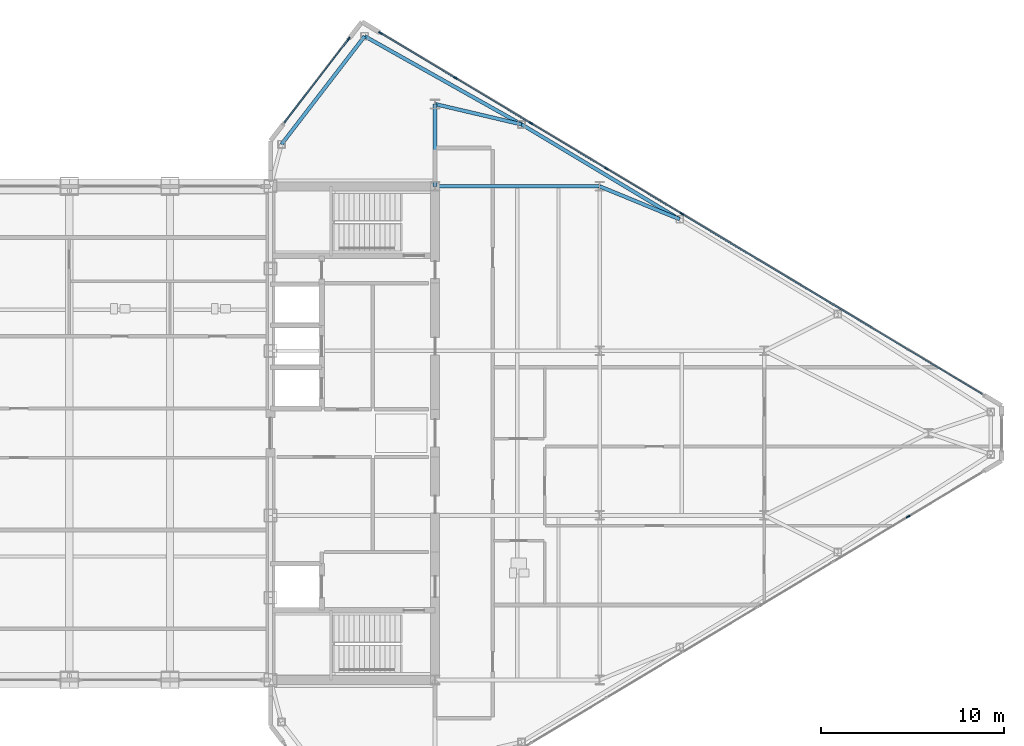
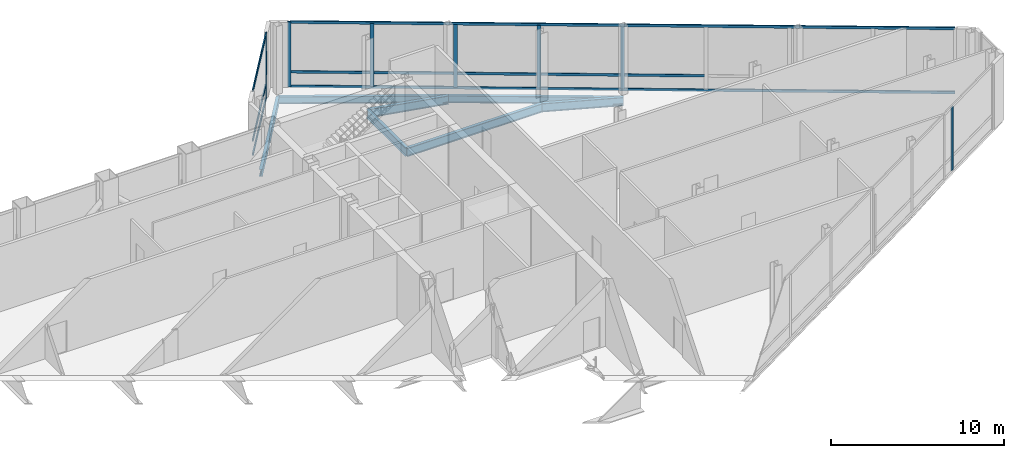
# One storey, part 17 of 30: 17 members, 7 beams, 3 elements without a shape of their own.
"""IFC4 building model written with IfcOpenShell, lengths in metres."""

from ifc_helpers import new_model, si_unit, direction, frame, origin, origin_2d, place, context, subcontext, project, spatial, rectangle, i_section, extrude, source, transform, mapped, material, layer, layer_set, material_profile, profile_set, type_object, type_shapes, element, aggregate, save


model = new_model("IFC4")

# Units and contexts
model_context = context("Model", 3, precision=1e-05, world=origin(), true_north=direction((0.0, 1.0)))
body_context = subcontext(model_context, "Body", "Model", "MODEL_VIEW")
ifc_project = project(units=[si_unit("LENGTHUNIT", "METRE"), si_unit("AREAUNIT", "SQUARE_METRE"), si_unit("VOLUMEUNIT", "CUBIC_METRE"), si_unit("PLANEANGLEUNIT", "RADIAN"), si_unit("MASSUNIT", "GRAM", prefix="KILO")], contexts=[model_context])

# Site, building, storey
site_placement = place(None, origin())
site = spatial("IfcSite", under=ifc_project, at=site_placement, CompositionType="ELEMENT")
building_placement = place(site_placement, origin())
building = spatial("IfcBuilding", under=site, at=building_placement, Name="Seokmaru Belvedere", CompositionType="ELEMENT")
storey_placement = place(building_placement, frame((0.0, 0.0, 234.60009765625)))
storey = spatial("IfcBuildingStorey", under=building, at=storey_placement, Name="L62", CompositionType="ELEMENT", Elevation=234.60009765625)

# Beams
ifc_material_1 = material(Name="Steel SM355 (355 MPa)", Category="steel")
ifc_material_profile_1 = material_profile(ifc_material_1, i_section(OverallWidth=0.199951171875, OverallDepth=0.60009765625, WebThickness=0.010986328125, FlangeThickness=0.01708984375, at=origin_2d()), Name="H-600x200x11x17")
ifc_profile_set_1 = profile_set([ifc_material_profile_1], Name="Steel SM355 (355 MPa)")
beam_type_1 = type_object("IfcBeamType", Name="Primary Floor Girder H-600", PredefinedType="BEAM", material=ifc_profile_set_1)
shared_shape_1 = source(origin(), body_context, "Body", "SweptSolid", [
    extrude(i_section(OverallWidth=0.199951171875, OverallDepth=0.60009765625, WebThickness=0.010986328125, FlangeThickness=0.01708984375, at=origin_2d()), origin(), (0.0, 0.0, 1.0), 9.0),
])
beam_1_placement = place(storey_placement, frame((36.5, 13.5, -0.56005859375), z_axis=(1.0, 0.0, 0.0), x_axis=(0.0, 1.0, 0.0)))
element("IfcBeam", 1, at=beam_1_placement, inside=storey, type_object=beam_type_1, Name="L62 E Wing Primary Girder 4", PredefinedType="BEAM", context=body_context, shape_type="MappedRepresentation", body=[
    mapped(shared_shape_1, transform((0.0, 0.0, 0.0), scale=1.0)),
])
shared_shape_2 = source(origin(), body_context, "Body", "SweptSolid", [
    extrude(i_section(OverallWidth=0.199951171875, OverallDepth=0.60009765625, WebThickness=0.010986328125, FlangeThickness=0.01708984375, at=origin_2d()), origin(), (0.0, 0.0, 1.0), 4.5),
])
beam_2_placement = place(storey_placement, frame((36.5, 13.5, -0.56005859375), z_axis=(0.0, 1.0, 0.0), x_axis=(-1.0, 0.0, 0.0)))
element("IfcBeam", 2, at=beam_2_placement, inside=storey, type_object=beam_type_1, Name="L62 E Core Shoulder Girder N", PredefinedType="BEAM", context=body_context, shape_type="MappedRepresentation", body=[
    mapped(shared_shape_2, transform((0.0, 0.0, 0.0), scale=1.0)),
])
ifc_material_profile_2 = material_profile(ifc_material_1, i_section(OverallWidth=0.199951171875, OverallDepth=0.5, WebThickness=0.010009765625, FlangeThickness=0.01611328125, at=origin_2d()), Name="H-500x200x10x16")
ifc_profile_set_2 = profile_set([ifc_material_profile_2], Name="Steel SM355 (355 MPa)")
beam_type_2 = type_object("IfcBeamType", Name="Perimeter Spandrel Beam H-500", PredefinedType="SPANDREL", material=ifc_profile_set_2)
shared_shape_3 = source(origin(), body_context, "Body", "SweptSolid", [
    extrude(i_section(OverallWidth=0.199951171875, OverallDepth=0.5, WebThickness=0.010009765625, FlangeThickness=0.01611328125, at=origin_2d()), origin(), (0.0, 0.0, 1.0), 9.842041015625),
])
beam_3_placement = place(storey_placement, frame((32.649658203125, 21.71044921875, -0.510009765625), z_axis=(0.871782151818, -0.489893743349, 0.0), x_axis=(0.489893743349, 0.871782151818, 0.0)))
element("IfcBeam", 3, at=beam_3_placement, inside=storey, type_object=beam_type_2, Name="L62 E Faceted Flank Spandrel N-1", PredefinedType="SPANDREL", context=body_context, shape_type="MappedRepresentation", body=[
    mapped(shared_shape_3, transform((0.0, 0.0, 0.0), scale=1.0)),
])
shared_shape_4 = source(origin(), body_context, "Body", "SweptSolid", [
    extrude(i_section(OverallWidth=0.199951171875, OverallDepth=0.5, WebThickness=0.010009765625, FlangeThickness=0.01611328125, at=origin_2d()), origin(), (0.0, 0.0, 1.0), 10.087646484375),
])
beam_4_placement = place(storey_placement, frame((41.229736328125, 16.888916015625, -0.510009765625), z_axis=(0.857499332045, -0.514485078056, 0.0), x_axis=(0.514485078056, 0.857499332045, 0.0)))
element("IfcBeam", 4, at=beam_4_placement, inside=storey, type_object=beam_type_2, Name="L62 E Faceted Flank Spandrel N-2", PredefinedType="SPANDREL", context=body_context, shape_type="MappedRepresentation", body=[
    mapped(shared_shape_4, transform((0.0, 0.0, 0.0), scale=1.0)),
])
shared_shape_5 = source(origin(), body_context, "Body", "SweptSolid", [
    extrude(i_section(OverallWidth=0.199951171875, OverallDepth=0.5, WebThickness=0.010009765625, FlangeThickness=0.01611328125, at=origin_2d()), origin(), (0.0, 0.0, 1.0), 7.4619140625),
])
type_shapes(beam_type_2, [shared_shape_3, shared_shape_4, shared_shape_5])
beam_5_placement = place(storey_placement, frame((32.649658203125, 21.71044921875, -0.510009765625), z_axis=(-0.609702854945, -0.792630070507, 0.0), x_axis=(0.792630070507, -0.609702854945, 0.0)))
element("IfcBeam", 5, at=beam_5_placement, inside=storey, type_object=beam_type_2, Name="L62 E Shoulder Chamfer Spandrel N", PredefinedType="SPANDREL", context=body_context, shape_type="MappedRepresentation", body=[
    mapped(shared_shape_5, transform((0.0, 0.0, 0.0), scale=1.0)),
])
shared_shape_6 = source(origin(), body_context, "Body", "SweptSolid", [
    extrude(i_section(OverallWidth=0.199951171875, OverallDepth=0.60009765625, WebThickness=0.010986328125, FlangeThickness=0.01708984375, at=origin_2d()), origin(), (0.0, 0.0, 1.0), 4.8583984375),
])
beam_6_placement = place(storey_placement, frame((41.229736328125, 16.888916015625, -0.56005859375), z_axis=(-0.97349948295, 0.228689214211, 0.0), x_axis=(-0.228689214211, -0.97349948295, 0.0)))
element("IfcBeam", 6, at=beam_6_placement, inside=storey, type_object=beam_type_1, Name="L62 E Flank Radial Floor Girder N-1", PredefinedType="BEAM", context=body_context, shape_type="MappedRepresentation", body=[
    mapped(shared_shape_6, transform((0.0, 0.0, 0.0), scale=1.0)),
])
shared_shape_7 = source(origin(), body_context, "Body", "SweptSolid", [
    extrude(i_section(OverallWidth=0.199951171875, OverallDepth=0.60009765625, WebThickness=0.010986328125, FlangeThickness=0.01708984375, at=origin_2d()), origin(), (0.0, 0.0, 1.0), 4.73583984375),
])
type_shapes(beam_type_1, [shared_shape_1, shared_shape_2, shared_shape_6, shared_shape_7])
beam_7_placement = place(storey_placement, frame((49.8798828125, 11.698974609375, -0.56005859375), z_axis=(-0.924860562953, 0.380306375301, 0.0), x_axis=(-0.380306375301, -0.924860562953, 0.0)))
element("IfcBeam", 7, at=beam_7_placement, inside=storey, type_object=beam_type_1, Name="L62 E Flank Radial Floor Girder N-2", PredefinedType="BEAM", context=body_context, shape_type="MappedRepresentation", body=[
    mapped(shared_shape_7, transform((0.0, 0.0, 0.0), scale=1.0)),
])

# Curtain wall, members
ifc_material_2 = material(Name="Bronze Triple Insulating Glass", Category="glass")
ifc_layer = layer(ifc_material_2, 0.219970703125)
ifc_layer_set = layer_set([ifc_layer], Name="Bronze Triple Insulating Glass")
curtain_wall_type = type_object("IfcCurtainWallType", Name="Sky-Gate Bridge Panorama Curtain Wall System CW-6", PredefinedType="NOTDEFINED", material=ifc_layer_set)
curtain_wall_1_placement = place(storey_placement, origin())
curtain_wall_1 = element("IfcCurtainWall", 8, at=curtain_wall_1_placement, inside=storey, type_object=curtain_wall_type, Name="L62 Curtain Wall EF4", PredefinedType="NOTDEFINED")
ifc_material_3 = material(Name="Anodised Bronze Aluminium", Category="aluminium")
ifc_material_profile_3 = material_profile(ifc_material_3, rectangle(XDim=0.074951171875, YDim=0.179931640625, at=origin_2d()), Name="CW-T-75x180")
ifc_profile_set_3 = profile_set([ifc_material_profile_3], Name="Anodised Bronze Aluminium")
member_type_1 = type_object("IfcMemberType", Name="Bronze Unitised Transom 75x180", PredefinedType="USERDEFINED", material=ifc_profile_set_3)
shared_shape_8 = source(origin(), body_context, "Body", "SweptSolid", [
    extrude(rectangle(XDim=0.074951171875, YDim=0.179931640625, at=origin_2d()), origin(), (0.0, 0.0, 1.0), 5.74072265625),
])
member_1_placement = place(storey_placement, frame((31.75, 21.525146484375, 0.037353515625), z_axis=(-0.609686097287, -0.792642960465, 0.0), x_axis=(0.792642960465, -0.609686097287, 0.0)))
member_1 = element("IfcMember", 9, at=member_1_placement, type_object=member_type_1, Name="CW:L62:EF4 Continuous Transom 1", ObjectType="TRANSOM", PredefinedType="USERDEFINED", context=body_context, shape_type="MappedRepresentation", body=[
    mapped(shared_shape_8, transform((0.0, 0.0, 0.0), scale=1.0)),
])
member_2_placement = place(storey_placement, frame((31.75, 21.525146484375, 4.54248046875), z_axis=(-0.609686097287, -0.792642960465, 0.0), x_axis=(0.792642960465, -0.609686097287, 0.0)))
member_2 = element("IfcMember", 10, at=member_2_placement, type_object=member_type_1, Name="CW:L62:EF4 Continuous Transom 2", ObjectType="TRANSOM", PredefinedType="USERDEFINED", context=body_context, shape_type="MappedRepresentation", body=[
    mapped(shared_shape_8, transform((0.0, 0.0, 0.0), scale=1.0)),
])
member_3_placement = place(storey_placement, frame((31.75, 21.525146484375, 1.0498046875), z_axis=(-0.609686097287, -0.792642960465, 0.0), x_axis=(0.792642960465, -0.609686097287, 0.0)))
member_3 = element("IfcMember", 11, at=member_3_placement, type_object=member_type_1, Name="CW:L62:EF4 Spandrel Transom 1", ObjectType="TRANSOM", PredefinedType="USERDEFINED", context=body_context, shape_type="MappedRepresentation", body=[
    mapped(shared_shape_8, transform((0.0, 0.0, 0.0), scale=1.0)),
])

curtain_wall_2_placement = place(storey_placement, origin())
curtain_wall_2 = element("IfcCurtainWall", 12, at=curtain_wall_2_placement, inside=storey, type_object=curtain_wall_type, Name="L62 Curtain Wall EF3", PredefinedType="NOTDEFINED")
shared_shape_9 = source(origin(), body_context, "Body", "SweptSolid", [
    extrude(rectangle(XDim=0.074951171875, YDim=0.179931640625, at=origin_2d()), origin(), (0.0, 0.0, 1.0), 38.356689453125),
])
member_4_placement = place(storey_placement, frame((66.4453125, 2.1328125, 0.037353515625), z_axis=(-0.857492925713, 0.514495755428, 0.0), x_axis=(-0.514495755428, -0.857492925713, 0.0)))
member_4 = element("IfcMember", 13, at=member_4_placement, type_object=member_type_1, Name="CW:L62:EF3 Continuous Transom 1", ObjectType="TRANSOM", PredefinedType="USERDEFINED", context=body_context, shape_type="MappedRepresentation", body=[
    mapped(shared_shape_9, transform((0.0, 0.0, 0.0), scale=1.0)),
])
member_5_placement = place(storey_placement, frame((66.4453125, 2.1328125, 4.54248046875), z_axis=(-0.857492925713, 0.514495755428, 0.0), x_axis=(-0.514495755428, -0.857492925713, 0.0)))
member_5 = element("IfcMember", 14, at=member_5_placement, type_object=member_type_1, Name="CW:L62:EF3 Continuous Transom 2", ObjectType="TRANSOM", PredefinedType="USERDEFINED", context=body_context, shape_type="MappedRepresentation", body=[
    mapped(shared_shape_9, transform((0.0, 0.0, 0.0), scale=1.0)),
])
shared_shape_10 = source(origin(), body_context, "Body", "SweptSolid", [
    extrude(rectangle(XDim=0.074951171875, YDim=0.179931640625, at=origin_2d()), origin(), (0.0, 0.0, 1.0), 4.694580078125),
])
member_6_placement = place(storey_placement, frame((37.580322265625, 19.451904296875, 1.0498046875), z_axis=(-0.85750210284, 0.514480459906, 0.0), x_axis=(-0.514480459906, -0.85750210284, 0.0)))
member_6 = element("IfcMember", 15, at=member_6_placement, type_object=member_type_1, Name="CW:L62:EF3 Spandrel Transom 8", ObjectType="TRANSOM", PredefinedType="USERDEFINED", context=body_context, shape_type="MappedRepresentation", body=[
    mapped(shared_shape_10, transform((0.0, 0.0, 0.0), scale=1.0)),
])
shared_shape_11 = source(origin(), body_context, "Body", "SweptSolid", [
    extrude(rectangle(XDim=0.074951171875, YDim=0.179931640625, at=origin_2d()), origin(), (0.0, 0.0, 1.0), 4.734619140625),
])
member_7_placement = place(storey_placement, frame((41.708740234375, 16.974609375, 1.0498046875), z_axis=(-0.857479275774, 0.514518504641, 0.0), x_axis=(-0.514518504641, -0.857479275774, 0.0)))
member_7 = element("IfcMember", 16, at=member_7_placement, type_object=member_type_1, Name="CW:L62:EF3 Spandrel Transom 7", ObjectType="TRANSOM", PredefinedType="USERDEFINED", context=body_context, shape_type="MappedRepresentation", body=[
    mapped(shared_shape_11, transform((0.0, 0.0, 0.0), scale=1.0)),
])
shared_shape_12 = source(origin(), body_context, "Body", "SweptSolid", [
    extrude(rectangle(XDim=0.074951171875, YDim=0.179931640625, at=origin_2d()), origin(), (0.0, 0.0, 1.0), 4.734375),
])
member_8_placement = place(storey_placement, frame((45.837158203125, 14.497802734375, 1.0498046875), z_axis=(-0.857502025578, 0.514480588682, 0.0), x_axis=(-0.514480588682, -0.857502025578, 0.0)))
member_8 = element("IfcMember", 17, at=member_8_placement, type_object=member_type_1, Name="CW:L62:EF3 Spandrel Transom 6", ObjectType="TRANSOM", PredefinedType="USERDEFINED", context=body_context, shape_type="MappedRepresentation", body=[
    mapped(shared_shape_12, transform((0.0, 0.0, 0.0), scale=1.0)),
])
shared_shape_13 = source(origin(), body_context, "Body", "SweptSolid", [
    extrude(rectangle(XDim=0.074951171875, YDim=0.179931640625, at=origin_2d()), origin(), (0.0, 0.0, 1.0), 4.73486328125),
])
type_shapes(member_type_1, [shared_shape_8, shared_shape_9, shared_shape_10, shared_shape_11, shared_shape_12, shared_shape_13])
member_9_placement = place(storey_placement, frame((54.09423828125, 9.54345703125, 1.0498046875), z_axis=(-0.857492925713, 0.514495755428, 0.0), x_axis=(-0.514495755428, -0.857492925713, 0.0)))
member_9 = element("IfcMember", 18, at=member_9_placement, type_object=member_type_1, Name="CW:L62:EF3 Spandrel Transom 4", ObjectType="TRANSOM", PredefinedType="USERDEFINED", context=body_context, shape_type="MappedRepresentation", body=[
    mapped(shared_shape_13, transform((0.0, 0.0, 0.0), scale=1.0)),
])
member_10_placement = place(storey_placement, frame((49.9658203125, 12.0205078125, 1.0498046875), z_axis=(-0.857492925713, 0.514495755428, 0.0), x_axis=(-0.514495755428, -0.857492925713, 0.0)))
member_10 = element("IfcMember", 19, at=member_10_placement, type_object=member_type_1, Name="CW:L62:EF3 Spandrel Transom 5", ObjectType="TRANSOM", PredefinedType="USERDEFINED", context=body_context, shape_type="MappedRepresentation", body=[
    mapped(shared_shape_13, transform((0.0, 0.0, 0.0), scale=1.0)),
])
ifc_material_profile_4 = material_profile(ifc_material_3, rectangle(XDim=0.080078125, YDim=0.219970703125, at=origin_2d()), Name="CW-M-80x220")
ifc_profile_set_4 = profile_set([ifc_material_profile_4], Name="Anodised Bronze Aluminium")
member_type_2 = type_object("IfcMemberType", Name="Bronze Unitised Mullion 80x220", PredefinedType="MULLION", material=ifc_profile_set_4)
shared_shape_14 = source(origin(), body_context, "Body", "SweptSolid", [
    extrude(rectangle(XDim=0.080078125, YDim=0.219970703125, at=origin_2d()), origin(), (0.0, 0.0, 1.0), 4.579833984375),
])
member_11_placement = place(storey_placement, frame((33.5205078125, 21.8876953125, 0.0), z_axis=(0.0, 0.0, 1.0), x_axis=(-0.514494909364, -0.85749343335, 0.0)))
member_11 = element("IfcMember", 20, at=member_11_placement, type_object=member_type_2, Name="CW:L62:EF3 Mullion 9", PredefinedType="MULLION", context=body_context, shape_type="MappedRepresentation", body=[
    mapped(shared_shape_14, transform((0.0, 0.0, 0.0), scale=1.0)),
])

# Member
member_12_placement = place(storey_placement, frame((31.7744140625, 21.556884765625, 0.0), z_axis=(0.0, 0.0, 1.0), x_axis=(0.792631353244, -0.609701187349, 0.0)))
member_12 = element("IfcMember", 21, at=member_12_placement, type_object=member_type_2, Name="CW:L62:EF4 Mullion 1", PredefinedType="MULLION", context=body_context, shape_type="MappedRepresentation", body=[
    mapped(shared_shape_14, transform((0.0, 0.0, 0.0), scale=1.0)),
])

aggregate(curtain_wall_1, [member_12, member_1, member_2, member_3])

# Curtain wall, member
curtain_wall_3_placement = place(storey_placement, origin())
curtain_wall_3 = element("IfcCurtainWall", 22, at=curtain_wall_3_placement, inside=storey, type_object=curtain_wall_type, Name="L62 Curtain Wall EF1", PredefinedType="NOTDEFINED")
shared_shape_15 = source(origin(), body_context, "Body", "SweptSolid", [
    extrude(rectangle(XDim=0.080078125, YDim=0.219970703125, at=origin_2d()), origin(), (0.0, 0.0, 1.0), 4.429931640625),
])
type_shapes(member_type_2, [shared_shape_14, shared_shape_15])
member_13_placement = place(storey_placement, frame((62.385498046875, -4.56884765625, 0.074951171875), z_axis=(0.0, 0.0, 1.0), x_axis=(-0.514494909364, 0.85749343335, 0.0)))
member_13 = element("IfcMember", 23, at=member_13_placement, type_object=member_type_2, Name="CW:L62:EF1 Mullion 8", PredefinedType="MULLION", context=body_context, shape_type="MappedRepresentation", body=[
    mapped(shared_shape_15, transform((0.0, 0.0, 0.0), scale=1.0)),
])
aggregate(curtain_wall_3, [member_13])

# Member
member_14_placement = place(storey_placement, frame((50.0, 12.0, 0.074951171875), z_axis=(0.0, 0.0, 1.0), x_axis=(-0.514494909364, -0.85749343335, 0.0)))
member_14 = element("IfcMember", 24, at=member_14_placement, type_object=member_type_2, Name="CW:L62:EF3 Mullion 5", PredefinedType="MULLION", context=body_context, shape_type="MappedRepresentation", body=[
    mapped(shared_shape_15, transform((0.0, 0.0, 0.0), scale=1.0)),
])

member_15_placement = place(storey_placement, frame((45.87158203125, 14.47705078125, 0.074951171875), z_axis=(0.0, 0.0, 1.0), x_axis=(-0.514494909364, -0.85749343335, 0.0)))
member_15 = element("IfcMember", 25, at=member_15_placement, type_object=member_type_2, Name="CW:L62:EF3 Mullion 6", PredefinedType="MULLION", context=body_context, shape_type="MappedRepresentation", body=[
    mapped(shared_shape_15, transform((0.0, 0.0, 0.0), scale=1.0)),
])

member_16_placement = place(storey_placement, frame((41.742919921875, 16.9541015625, 0.074951171875), z_axis=(0.0, 0.0, 1.0), x_axis=(-0.514494909364, -0.85749343335, 0.0)))
member_16 = element("IfcMember", 26, at=member_16_placement, type_object=member_type_2, Name="CW:L62:EF3 Mullion 7", PredefinedType="MULLION", context=body_context, shape_type="MappedRepresentation", body=[
    mapped(shared_shape_15, transform((0.0, 0.0, 0.0), scale=1.0)),
])

member_17_placement = place(storey_placement, frame((37.614501953125, 19.43115234375, 0.074951171875), z_axis=(0.0, 0.0, 1.0), x_axis=(-0.514494909364, -0.85749343335, 0.0)))
member_17 = element("IfcMember", 27, at=member_17_placement, type_object=member_type_2, Name="CW:L62:EF3 Mullion 8", PredefinedType="MULLION", context=body_context, shape_type="MappedRepresentation", body=[
    mapped(shared_shape_15, transform((0.0, 0.0, 0.0), scale=1.0)),
])

aggregate(curtain_wall_2, [member_14, member_15, member_16, member_17, member_11, member_4, member_5, member_9, member_10, member_8, member_7, member_6])

save(model, "model.ifc")
